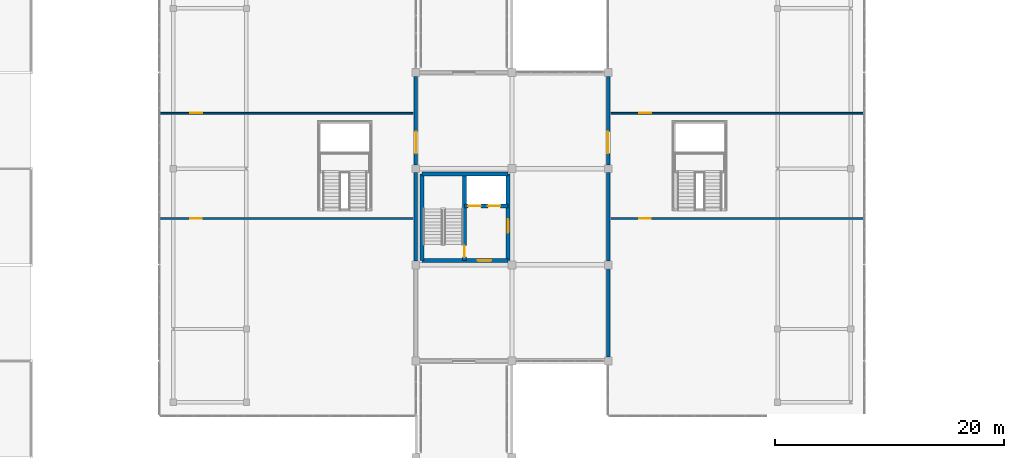
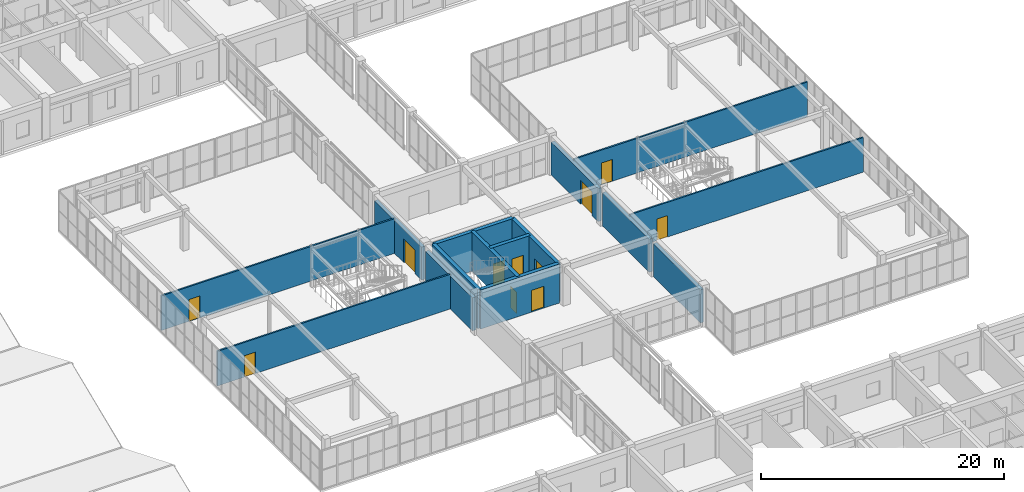
# One storey, part 114 of 140: 15 walls, 11 doors, 11 openings.
"""IFC4 building model written with IfcOpenShell, lengths in metres."""

import ifcopenshell
import ifcopenshell.guid

model = None  # the IFC model being written
_history = None  # IfcOwnerHistory: only IFC2X3 demands one
_inside = {}  # id of a spatial element -> (the spatial element, [elements in it])
_under = {}  # id of a project, library or spatial element -> (it, [spatial elements below it])
_declared = {}  # id of a project -> (the project, [libraries it declares])
_typed = {}  # id of a type object -> (the type object, [elements of that type])
_made_of = {}  # id of a material, layer set ... -> (it, [elements and type objects made of it])


def new_model(schema):
    """Start an empty IFC model of exactly this schema.

    Asked for "IFC4X3", IfcOpenShell would pick the latest addendum, in which some entities
    have other attributes; the version numbers below select the first issue.
    IFC2X3 requires an IfcOwnerHistory on every rooted entity: one is made here for all.
    """
    global model, _history
    if schema == "IFC4X3":
        model = ifcopenshell.file(schema_version=(4, 3, 0, 0))
    else:
        model = ifcopenshell.file(schema=schema)
    _inside.clear()
    _under.clear()
    _declared.clear()
    _typed.clear()
    _made_of.clear()
    _history = None
    if model.schema == "IFC2X3":
        org = make("IfcOrganization", Name="unknown")
        user = make(
            "IfcPersonAndOrganization",
            ThePerson=make("IfcPerson", FamilyName="unknown"),
            TheOrganization=org,
        )
        app = make(
            "IfcApplication",
            ApplicationDeveloper=org,
            Version="unknown",
            ApplicationFullName="unknown",
            ApplicationIdentifier="unknown",
        )
        _history = make(
            "IfcOwnerHistory",
            OwningUser=user,
            OwningApplication=app,
            ChangeAction="ADDED",
            CreationDate=0,
        )
    return model


def make(cls, **values):
    """One entity of the class cls with the attributes given. An attribute that is None is left unset."""
    return model.create_entity(
        cls, **{name: value for name, value in values.items() if value is not None}
    )


def rooted(cls, **values):
    """An entity with a GlobalId (a new one), such as an element, a storey or a relation."""
    return make(cls, GlobalId=ifcopenshell.guid.new(), OwnerHistory=_history, **values)


def si_unit(unit_type, name, prefix=None):
    """IfcSIUnit, for example si_unit("LENGTHUNIT", "METRE", prefix="MILLI")."""
    return make("IfcSIUnit", UnitType=unit_type, Prefix=prefix, Name=name)


def assignment(units):
    """IfcUnitAssignment: the units of a project."""
    return None if units is None else make("IfcUnitAssignment", Units=units)


def point(xyz):
    """IfcCartesianPoint."""
    return None if xyz is None else make("IfcCartesianPoint", Coordinates=xyz)


def direction(xyz):
    """IfcDirection."""
    return None if xyz is None else make("IfcDirection", DirectionRatios=xyz)


def frame(location, z_axis=None, x_axis=None):
    """IfcAxis2Placement3D, a coordinate frame: its origin and axes. An axis left out is left unset."""
    return make(
        "IfcAxis2Placement3D",
        Location=point(location),
        Axis=direction(z_axis),
        RefDirection=direction(x_axis),
    )


def frame_2d(location, x_axis=None):
    """IfcAxis2Placement2D, a coordinate frame in the plane: its origin and x axis."""
    return make(
        "IfcAxis2Placement2D", Location=point(location), RefDirection=direction(x_axis)
    )


def origin():
    """The frame at (0, 0, 0) with its axes left unset."""
    return frame((0.0, 0.0, 0.0))


def place(relative_to, where):
    """IfcLocalPlacement: puts the frame where relative to a parent placement (None: the world)."""
    return make(
        "IfcLocalPlacement", PlacementRelTo=relative_to, RelativePlacement=where
    )


def context(
    kind, dimensions, precision=None, world=None, true_north=None, identifier=None
):
    """IfcGeometricRepresentationContext, for example the 3D "Model" context."""
    return make(
        "IfcGeometricRepresentationContext",
        ContextIdentifier=identifier,
        ContextType=kind,
        CoordinateSpaceDimension=dimensions,
        Precision=precision,
        WorldCoordinateSystem=world,
        TrueNorth=true_north,
    )


def subcontext(parent, identifier, kind, view, scale=None):
    """IfcGeometricRepresentationSubContext, for example "Body" below "Model"."""
    return make(
        "IfcGeometricRepresentationSubContext",
        ContextIdentifier=identifier,
        ContextType=kind,
        ParentContext=parent,
        TargetScale=scale,
        TargetView=view,
    )


def project(units=None, contexts=None):
    """IfcProject with its units and contexts."""
    return rooted(
        "IfcProject",
        Name="project",
        RepresentationContexts=contexts,
        UnitsInContext=assignment(units),
    )


def spatial(cls, under=None, at=None, **own):
    """A site, building, storey or space (cls), placed at a placement, below another one or the project."""
    s = rooted(cls, ObjectPlacement=at, **own)
    if under is not None:
        _under.setdefault(under.id(), (under, []))[1].append(s)
    return s


def profile(cls, at=None, kind="AREA", **sizes):
    """A parametric profile (cls). Its sizes go by their IFC names, for example OverallWidth=200.0."""
    return make(cls, ProfileType=kind, Position=at, **sizes)


def rectangle(**sizes):
    """IfcRectangleProfileDef."""
    return profile("IfcRectangleProfileDef", **sizes)


def extrude(swept, where, along, depth):
    """IfcExtrudedAreaSolid: the profile swept, set in the frame where, extruded along a direction by depth."""
    return make(
        "IfcExtrudedAreaSolid",
        SweptArea=swept,
        Position=where,
        ExtrudedDirection=direction(along),
        Depth=depth,
    )


def shape(context_of_items, identifier, shape_type, items):
    """IfcShapeRepresentation: the items that make up one representation, for example the "Body"."""
    return make(
        "IfcShapeRepresentation",
        ContextOfItems=context_of_items,
        RepresentationIdentifier=identifier,
        RepresentationType=shape_type,
        Items=items,
    )


def material(Name=None, Category=None):
    """IfcMaterial."""
    return make("IfcMaterial", Name=Name, Category=Category)


def layer(
    of_material, thickness, ventilated=None, Name=None, Category=None, Priority=None
):
    """IfcMaterialLayer: one layer of a wall or slab, of a material (None: an air gap)."""
    return make(
        "IfcMaterialLayer",
        Material=of_material,
        LayerThickness=thickness,
        IsVentilated=ventilated,
        Name=Name,
        Category=Category,
        Priority=Priority,
    )


def layer_set(layers, Name=None):
    """IfcMaterialLayerSet."""
    return make("IfcMaterialLayerSet", MaterialLayers=layers, LayerSetName=Name)


def made_of(thing, what):
    """Note that an element or type object is made of a material, layer set ...; save() writes the relation."""
    if what is not None:
        _made_of.setdefault(what.id(), (what, []))[1].append(thing)
    return thing


def type_object(cls, material=None, **own):
    """A type object (cls), such as IfcWallType, which elements share."""
    return made_of(rooted(cls, **own), material)


def element(
    cls,
    number,
    at=None,
    inside=None,
    cuts=None,
    type_object=None,
    material=None,
    context=None,
    identifier="Body",
    shape_type=None,
    held_by="IfcProductDefinitionShape",
    body=None,
    shapes=None,
    **own,
):
    """One element of the class cls, such as IfcWall. Its Tag is "e" and its number.

    at: its placement. inside: the storey or other place that contains it. cuts: it is an
    opening in that element (IfcRelVoidsElement). A single representation is given by context,
    identifier, shape_type and body (its items); several are given by shapes. held_by: the class
    of the entity that holds the representations. save() writes the other relations.
    """
    e = rooted(cls, Tag="e%d" % number, ObjectPlacement=at, **own)
    if body is not None:
        shapes = [shape(context, identifier, shape_type, body)]
    if shapes is not None:
        e.Representation = make(held_by, Representations=shapes)
    if inside is not None:
        _inside.setdefault(inside.id(), (inside, []))[1].append(e)
    if cuts is not None:
        rooted(
            "IfcRelVoidsElement", RelatingBuildingElement=cuts, RelatedOpeningElement=e
        )
    if type_object is not None:
        _typed.setdefault(type_object.id(), (type_object, []))[1].append(e)
    return made_of(e, material)


def fill(opening, filler):
    """IfcRelFillsElement: the door or window that sits in an opening."""
    return rooted(
        "IfcRelFillsElement",
        RelatingOpeningElement=opening,
        RelatedBuildingElement=filler,
    )


def aggregate(whole, parts):
    """IfcRelAggregates: a whole, such as a stair, and the parts it consists of."""
    return rooted("IfcRelAggregates", RelatingObject=whole, RelatedObjects=parts)


def save(model, path):
    """Write the relations noted so far, then the file.

    IfcRelAggregates (storeys below a building ...), IfcRelContainedInSpatialStructure (elements
    in a storey), IfcRelDefinesByType, IfcRelAssociatesMaterial and IfcRelDeclares: one each for
    every whole, place, type object, material and project.
    """
    for whole, parts in _under.values():
        aggregate(whole, parts)
    for where, things in _inside.values():
        rooted(
            "IfcRelContainedInSpatialStructure",
            RelatedElements=things,
            RelatingStructure=where,
        )
    for kind, things in _typed.values():
        rooted("IfcRelDefinesByType", RelatedObjects=things, RelatingType=kind)
    for what, things in _made_of.values():
        rooted("IfcRelAssociatesMaterial", RelatedObjects=things, RelatingMaterial=what)
    for by, libraries in _declared.values():
        rooted("IfcRelDeclares", RelatingContext=by, RelatedDefinitions=libraries)
    model.write(path)


model = new_model("IFC4")

# Units and contexts
model_context = context("Model", 3, precision=1e-05, world=origin(), true_north=direction((0.0, 1.0)))
body_context = subcontext(model_context, "Body", "Model", "MODEL_VIEW")
ifc_project = project(units=[si_unit("LENGTHUNIT", "METRE"), si_unit("AREAUNIT", "SQUARE_METRE"), si_unit("VOLUMEUNIT", "CUBIC_METRE"), si_unit("PLANEANGLEUNIT", "RADIAN"), si_unit("MASSUNIT", "GRAM", prefix="KILO")], contexts=[model_context])

# Site, building, storey
site_placement = place(None, origin())
site = spatial("IfcSite", under=ifc_project, at=site_placement, CompositionType="ELEMENT")
building_placement = place(site_placement, origin())
building = spatial("IfcBuilding", under=site, at=building_placement, Name="Trelvath General Hospital", CompositionType="ELEMENT")
storey_placement = place(building_placement, frame((0.0, 0.0, 16.199951171875)))
storey = spatial("IfcBuildingStorey", under=building, at=storey_placement, Name="L04", CompositionType="ELEMENT", Elevation=16.199951171875)

# Wall, opening, door
ifc_material_1 = material(Name="Gypsum acoustic steel-stud partition", Category="steel")
ifc_layer_1 = layer(ifc_material_1, 0.14990234375)
ifc_layer_set_1 = layer_set([ifc_layer_1], Name="Gypsum acoustic steel-stud partition")
wall_type_1 = type_object("IfcWallType", Name="ClinicalPartition 150", PredefinedType="PARTITIONING", material=ifc_layer_set_1)
wall_1_placement = place(storey_placement, frame((53.300048828125, 54.449951171875, 0.0), z_axis=(0.0, 0.0, 1.0), x_axis=(1.0, 0.0, 0.0)))
wall_1 = element("IfcWall", 1, at=wall_1_placement, inside=storey, type_object=wall_type_1, Name="Cube Clinic CUBE-W Partition L04-1714", PredefinedType="PARTITIONING", context=body_context, shape_type="SweptSolid", body=[
    extrude(rectangle(XDim=22.199951171875, YDim=0.14990234375, at=frame_2d((11.10009765625, 0.0))), origin(), (0.0, 0.0, 1.0), 3.489990234375),
])
opening_1_placement = place(wall_1_placement, frame((2.60009765625, 0.0, 0.0)))
opening_1 = element("IfcOpeningElement", 2, at=opening_1_placement, cuts=wall_1, Name="Opening DC-4-1145", PredefinedType="OPENING", context=body_context, shape_type="SweptSolid", body=[
    extrude(rectangle(XDim=1.0, YDim=2.14990234375, at=frame_2d((0.5, 1.074951171875))), frame((0.0, 0.0849609375, 0.0), z_axis=(0.0, -1.0, 0.0), x_axis=(1.0, 0.0, 0.0)), (0.0, 0.0, 1.0), 0.169921875),
])
ifc_material_2 = material(Name="Acoustic hospital timber leaf", Category="wood")
door_type_1 = type_object("IfcDoorType", Name="Door Consult 1000x2150", OperationType="NOTDEFINED", PredefinedType="DOOR", material=ifc_material_2)
door_1_placement = place(opening_1_placement, origin())
door_1 = element("IfcDoor", 3, at=door_1_placement, inside=storey, type_object=door_type_1, Name="Cube Clinic CUBE-W Door L04-1145", OperationType="SINGLE_SWING_LEFT", OverallHeight=2.14990234375, OverallWidth=1.0, PredefinedType="DOOR", context=body_context, shape_type="SweptSolid", body=[
    extrude(rectangle(XDim=1.0, YDim=2.14990234375, at=frame_2d((0.5, 1.074951171875))), frame((0.0, 0.02490234375, 0.0), z_axis=(0.0, -1.0, 0.0), x_axis=(1.0, 0.0, 0.0)), (0.0, 0.0, 1.0), 0.050048828125),
])
fill(opening_1, door_1)

wall_2_placement = place(storey_placement, frame((53.300048828125, 63.64990234375, 0.0), z_axis=(0.0, 0.0, 1.0), x_axis=(1.0, 0.0, 0.0)))
wall_2 = element("IfcWall", 4, at=wall_2_placement, inside=storey, type_object=wall_type_1, Name="Cube Clinic CUBE-W Partition L04-1715", PredefinedType="PARTITIONING", context=body_context, shape_type="SweptSolid", body=[
    extrude(rectangle(XDim=22.199951171875, YDim=0.14990234375, at=frame_2d((11.10009765625, 0.0))), origin(), (0.0, 0.0, 1.0), 3.489990234375),
])
opening_2_placement = place(wall_2_placement, frame((2.60009765625, 0.0, 0.0)))
opening_2 = element("IfcOpeningElement", 5, at=opening_2_placement, cuts=wall_2, Name="Opening DC-4-1146", PredefinedType="OPENING", context=body_context, shape_type="SweptSolid", body=[
    extrude(rectangle(XDim=1.050048828125, YDim=2.199951171875, at=frame_2d((0.52490234375, 1.10009765625))), frame((0.0, 0.0849609375, 0.0), z_axis=(0.0, -1.0, 0.0), x_axis=(1.0, 0.0, 0.0)), (0.0, 0.0, 1.0), 0.169921875),
])
ifc_material_3 = material(Name="Acoustic hospital timber leaf", Category="wood")
door_type_2 = type_object("IfcDoorType", Name="Door Consult 1050x2200", OperationType="NOTDEFINED", PredefinedType="DOOR", material=ifc_material_3)
door_2_placement = place(opening_2_placement, origin())
door_2 = element("IfcDoor", 6, at=door_2_placement, inside=storey, type_object=door_type_2, Name="Cube Clinic CUBE-W Door L04-1146", OperationType="SINGLE_SWING_RIGHT", OverallHeight=2.199951171875, OverallWidth=1.050048828125, PredefinedType="DOOR", context=body_context, shape_type="SweptSolid", body=[
    extrude(rectangle(XDim=1.050048828125, YDim=2.199951171875, at=frame_2d((0.52490234375, 1.10009765625))), frame((0.0, 0.02490234375, 0.0), z_axis=(0.0, -1.0, 0.0), x_axis=(1.0, 0.0, 0.0)), (0.0, 0.0, 1.0), 0.050048828125),
])
fill(opening_2, door_2)

wall_3_placement = place(storey_placement, frame((92.5, 54.449951171875, 0.0), z_axis=(0.0, 0.0, 1.0), x_axis=(1.0, 0.0, 0.0)))
wall_3 = element("IfcWall", 7, at=wall_3_placement, inside=storey, type_object=wall_type_1, Name="Cube Clinic CUBE-E Partition L04-1716", PredefinedType="PARTITIONING", context=body_context, shape_type="SweptSolid", body=[
    extrude(rectangle(XDim=22.199951171875, YDim=0.14990234375, at=frame_2d((11.10009765625, 0.0))), origin(), (0.0, 0.0, 1.0), 3.489990234375),
])
opening_3_placement = place(wall_3_placement, frame((2.60009765625, 0.0, 0.0)))
opening_3 = element("IfcOpeningElement", 8, at=opening_3_placement, cuts=wall_3, Name="Opening DC-4-1147", PredefinedType="OPENING", context=body_context, shape_type="SweptSolid", body=[
    extrude(rectangle(XDim=1.0, YDim=2.14990234375, at=frame_2d((0.5, 1.074951171875))), frame((0.0, 0.0849609375, 0.0), z_axis=(0.0, -1.0, 0.0), x_axis=(1.0, 0.0, 0.0)), (0.0, 0.0, 1.0), 0.169921875),
])
door_3_placement = place(opening_3_placement, origin())
door_3 = element("IfcDoor", 9, at=door_3_placement, inside=storey, type_object=door_type_1, Name="Cube Clinic CUBE-E Door L04-1147", OperationType="SINGLE_SWING_LEFT", OverallHeight=2.14990234375, OverallWidth=1.0, PredefinedType="DOOR", context=body_context, shape_type="SweptSolid", body=[
    extrude(rectangle(XDim=1.0, YDim=2.14990234375, at=frame_2d((0.5, 1.074951171875))), frame((0.0, 0.02490234375, 0.0), z_axis=(0.0, -1.0, 0.0), x_axis=(1.0, 0.0, 0.0)), (0.0, 0.0, 1.0), 0.050048828125),
])
fill(opening_3, door_3)

wall_4_placement = place(storey_placement, frame((92.5, 63.64990234375, 0.0), z_axis=(0.0, 0.0, 1.0), x_axis=(1.0, 0.0, 0.0)))
wall_4 = element("IfcWall", 10, at=wall_4_placement, inside=storey, type_object=wall_type_1, Name="Cube Clinic CUBE-E Partition L04-1717", PredefinedType="PARTITIONING", context=body_context, shape_type="SweptSolid", body=[
    extrude(rectangle(XDim=22.199951171875, YDim=0.14990234375, at=frame_2d((11.10009765625, 0.0))), origin(), (0.0, 0.0, 1.0), 3.489990234375),
])
opening_4_placement = place(wall_4_placement, frame((2.60009765625, 0.0, 0.0)))
opening_4 = element("IfcOpeningElement", 11, at=opening_4_placement, cuts=wall_4, Name="Opening DC-4-1148", PredefinedType="OPENING", context=body_context, shape_type="SweptSolid", body=[
    extrude(rectangle(XDim=1.050048828125, YDim=2.199951171875, at=frame_2d((0.52490234375, 1.10009765625))), frame((0.0, 0.0849609375, 0.0), z_axis=(0.0, -1.0, 0.0), x_axis=(1.0, 0.0, 0.0)), (0.0, 0.0, 1.0), 0.169921875),
])
door_4_placement = place(opening_4_placement, origin())
door_4 = element("IfcDoor", 12, at=door_4_placement, inside=storey, type_object=door_type_2, Name="Cube Clinic CUBE-E Door L04-1148", OperationType="SINGLE_SWING_RIGHT", OverallHeight=2.199951171875, OverallWidth=1.050048828125, PredefinedType="DOOR", context=body_context, shape_type="SweptSolid", body=[
    extrude(rectangle(XDim=1.050048828125, YDim=2.199951171875, at=frame_2d((0.52490234375, 1.10009765625))), frame((0.0, 0.02490234375, 0.0), z_axis=(0.0, -1.0, 0.0), x_axis=(1.0, 0.0, 0.0)), (0.0, 0.0, 1.0), 0.050048828125),
])
fill(opening_4, door_4)

ifc_material_4 = material(Name="Concrete C40/50", Category="concrete")
ifc_layer_2 = layer(ifc_material_4, 0.35009765625)
ifc_layer_set_2 = layer_set([ifc_layer_2], Name="Concrete C40/50")
wall_type_2 = type_object("IfcWallType", Name="CoreShearWall 350", PredefinedType="SHEAR", material=ifc_layer_set_2)
wall_5_placement = place(storey_placement, frame((76.14990234375, 50.800048828125, 0.0), z_axis=(0.0, 0.0, 1.0), x_axis=(1.0, 0.0, 0.0)))
wall_5 = element("IfcWall", 13, at=wall_5_placement, inside=storey, type_object=wall_type_2, Name="Core Shear Wall C6 S L04", PredefinedType="SHEAR", context=body_context, shape_type="SweptSolid", body=[
    extrude(rectangle(XDim=7.5, YDim=0.35009765625, at=frame_2d((3.75, 0.0))), origin(), (0.0, 0.0, 1.0), 3.920166015625),
])
opening_5_placement = place(wall_5_placement, frame((4.85009765625, 0.0, 0.0)))
opening_5 = element("IfcOpeningElement", 14, at=opening_5_placement, cuts=wall_5, Name="Opening FD-LS64", PredefinedType="OPENING", context=body_context, shape_type="SweptSolid", body=[
    extrude(rectangle(XDim=1.199951171875, YDim=2.199951171875, at=frame_2d((0.60009765625, 1.10009765625))), frame((0.0, 0.18505859375, 0.0), z_axis=(0.0, -1.0, 0.0), x_axis=(1.0, 0.0, 0.0)), (0.0, 0.0, 1.0), 0.3701171875),
])
ifc_material_5 = material(Name="Fire-rated steel door", Category="steel")
door_type_3 = type_object("IfcDoorType", Name="Door FireLobby 1200x2200", OperationType="NOTDEFINED", PredefinedType="DOOR", material=ifc_material_5)
door_5_placement = place(opening_5_placement, origin())
door_5 = element("IfcDoor", 15, at=door_5_placement, inside=storey, type_object=door_type_3, Name="Fire Lobby South Concourse Door C6 L04", OperationType="SINGLE_SWING_LEFT", OverallHeight=2.199951171875, OverallWidth=1.199951171875, PredefinedType="DOOR", context=body_context, shape_type="SweptSolid", body=[
    extrude(rectangle(XDim=1.199951171875, YDim=2.199951171875, at=frame_2d((0.60009765625, 1.10009765625))), frame((0.0, 0.02490234375, 0.0), z_axis=(0.0, -1.0, 0.0), x_axis=(1.0, 0.0, 0.0)), (0.0, 0.0, 1.0), 0.050048828125),
])
fill(opening_5, door_5)

# Walls
wall_6_placement = place(storey_placement, frame((76.14990234375, 58.35009765625, 0.0), z_axis=(0.0, 0.0, 1.0), x_axis=(1.0, 0.0, 0.0)))
element("IfcWall", 16, at=wall_6_placement, inside=storey, type_object=wall_type_2, Name="Core Shear Wall C6 N L04", PredefinedType="SHEAR", context=body_context, shape_type="SweptSolid", body=[
    extrude(rectangle(XDim=7.5, YDim=0.35009765625, at=frame_2d((3.75, 0.0))), origin(), (0.0, 0.0, 1.0), 3.920166015625),
])
wall_7_placement = place(storey_placement, frame((76.14990234375, 50.800048828125, 0.0), z_axis=(0.0, 0.0, 1.0), x_axis=(0.0, 1.0, 0.0)))
element("IfcWall", 17, at=wall_7_placement, inside=storey, type_object=wall_type_2, Name="Core Shear Wall C6 W L04", PredefinedType="SHEAR", context=body_context, shape_type="SweptSolid", body=[
    extrude(rectangle(XDim=7.550048828125, YDim=0.35009765625, at=frame_2d((3.77490234375, 0.0))), origin(), (0.0, 0.0, 1.0), 3.920166015625),
])

# Wall, opening, door
wall_8_placement = place(storey_placement, frame((83.64990234375, 50.800048828125, 0.0), z_axis=(0.0, 0.0, 1.0), x_axis=(0.0, 1.0, 0.0)))
wall_8 = element("IfcWall", 18, at=wall_8_placement, inside=storey, type_object=wall_type_2, Name="Core Shear Wall C6 E L04", PredefinedType="SHEAR", context=body_context, shape_type="SweptSolid", body=[
    extrude(rectangle(XDim=7.550048828125, YDim=0.35009765625, at=frame_2d((3.77490234375, 0.0))), origin(), (0.0, 0.0, 1.0), 3.920166015625),
])
opening_6_placement = place(wall_8_placement, frame((2.39990234375, 0.0, 0.0)))
opening_6 = element("IfcOpeningElement", 19, at=opening_6_placement, cuts=wall_8, Name="Opening FD-LE64", PredefinedType="OPENING", context=body_context, shape_type="SweptSolid", body=[
    extrude(rectangle(XDim=1.199951171875, YDim=2.199951171875, at=frame_2d((0.60009765625, 1.10009765625))), frame((0.0, 0.18505859375, 0.0), z_axis=(0.0, -1.0, 0.0), x_axis=(1.0, 0.0, 0.0)), (0.0, 0.0, 1.0), 0.3701171875),
])
door_6_placement = place(opening_6_placement, origin())
door_6 = element("IfcDoor", 20, at=door_6_placement, inside=storey, type_object=door_type_3, Name="Fire Lobby East Corridor Door C6 L04", OperationType="SINGLE_SWING_RIGHT", OverallHeight=2.199951171875, OverallWidth=1.199951171875, PredefinedType="DOOR", context=body_context, shape_type="SweptSolid", body=[
    extrude(rectangle(XDim=1.199951171875, YDim=2.199951171875, at=frame_2d((0.60009765625, 1.10009765625))), frame((0.0, 0.02490234375, 0.0), z_axis=(0.0, -1.0, 0.0), x_axis=(1.0, 0.0, 0.0)), (0.0, 0.0, 1.0), 0.050048828125),
])
fill(opening_6, door_6)

wall_9_placement = place(storey_placement, frame((79.85009765625, 50.800048828125, 0.0), z_axis=(0.0, 0.0, 1.0), x_axis=(0.0, 1.0, 0.0)))
wall_9 = element("IfcWall", 21, at=wall_9_placement, inside=storey, type_object=wall_type_2, Name="Core Shear Wall C6 SPINE L04", PredefinedType="SHEAR", context=body_context, shape_type="SweptSolid", body=[
    extrude(rectangle(XDim=7.550048828125, YDim=0.35009765625, at=frame_2d((3.77490234375, 0.0))), origin(), (0.0, 0.0, 1.0), 3.920166015625),
])
opening_7_placement = place(wall_9_placement, frame((0.280029296875, 0.0, 0.0)))
opening_7 = element("IfcOpeningElement", 22, at=opening_7_placement, cuts=wall_9, Name="Opening FD-S64", PredefinedType="OPENING", context=body_context, shape_type="SweptSolid", body=[
    extrude(rectangle(XDim=1.0, YDim=2.14990234375, at=frame_2d((0.5, 1.074951171875))), frame((0.0, 0.18505859375, 0.0), z_axis=(0.0, -1.0, 0.0), x_axis=(1.0, 0.0, 0.0)), (0.0, 0.0, 1.0), 0.3701171875),
])
ifc_material_6 = material(Name="Fire-rated steel door", Category="steel")
door_type_4 = type_object("IfcDoorType", Name="Door FireStair 1100x2150", OperationType="NOTDEFINED", PredefinedType="DOOR", material=ifc_material_6)
door_7_placement = place(opening_7_placement, origin())
door_7 = element("IfcDoor", 23, at=door_7_placement, inside=storey, type_object=door_type_4, Name="Exit Stair Door ST6 L04", OperationType="SINGLE_SWING_RIGHT", OverallHeight=2.14990234375, OverallWidth=1.0, PredefinedType="DOOR", context=body_context, shape_type="SweptSolid", body=[
    extrude(rectangle(XDim=1.0, YDim=2.14990234375, at=frame_2d((0.5, 1.074951171875))), frame((0.0, 0.02490234375, 0.0), z_axis=(0.0, -1.0, 0.0), x_axis=(1.0, 0.0, 0.0)), (0.0, 0.0, 1.0), 0.050048828125),
])
fill(opening_7, door_7)

# Wall, openings, doors
wall_10_placement = place(storey_placement, frame((79.85009765625, 55.550048828125, 0.0), z_axis=(0.0, 0.0, 1.0), x_axis=(1.0, 0.0, 0.0)))
wall_10 = element("IfcWall", 24, at=wall_10_placement, inside=storey, type_object=wall_type_2, Name="Core Shear Wall C6 SHAFT L04", PredefinedType="SHEAR", context=body_context, shape_type="SweptSolid", body=[
    extrude(rectangle(XDim=3.7998046875, YDim=0.35009765625, at=frame_2d((1.89990234375, 0.0))), origin(), (0.0, 0.0, 1.0), 3.920166015625),
])
opening_8_placement = place(wall_10_placement, frame((0.320068359375, 0.0, 0.0)))
opening_8 = element("IfcOpeningElement", 25, at=opening_8_placement, cuts=wall_10, Name="Opening LD-PA3-4", PredefinedType="OPENING", context=body_context, shape_type="SweptSolid", body=[
    extrude(rectangle(XDim=1.10009765625, YDim=2.14990234375, at=frame_2d((0.550048828125, 1.074951171875))), frame((0.0, 0.18505859375, 0.0), z_axis=(0.0, -1.0, 0.0), x_axis=(1.0, 0.0, 0.0)), (0.0, 0.0, 1.0), 0.3701171875),
])
opening_9_placement = place(wall_10_placement, frame((2.0400390625, 0.0, 0.0)))
opening_9 = element("IfcOpeningElement", 26, at=opening_9_placement, cuts=wall_10, Name="Opening LD-PA4-4", PredefinedType="OPENING", context=body_context, shape_type="SweptSolid", body=[
    extrude(rectangle(XDim=1.10009765625, YDim=2.14990234375, at=frame_2d((0.550048828125, 1.074951171875))), frame((0.0, 0.18505859375, 0.0), z_axis=(0.0, -1.0, 0.0), x_axis=(1.0, 0.0, 0.0)), (0.0, 0.0, 1.0), 0.3701171875),
])
ifc_material_7 = material(Name="Stainless steel lift landing sliding door", Category="steel")
door_type_5 = type_object("IfcDoorType", Name="Door LiftLanding 1100x2150", OperationType="SLIDING_TO_LEFT", PredefinedType="DOOR", material=ifc_material_7)
door_8_placement = place(opening_8_placement, origin())
door_8 = element("IfcDoor", 27, at=door_8_placement, inside=storey, type_object=door_type_5, Name="Lift Landing Sliding Door LF-PA3 L04", OperationType="SLIDING_TO_LEFT", OverallHeight=2.14990234375, OverallWidth=1.10009765625, PredefinedType="DOOR", context=body_context, shape_type="SweptSolid", body=[
    extrude(rectangle(XDim=1.10009765625, YDim=2.14990234375, at=frame_2d((0.550048828125, 1.074951171875))), frame((0.0, 0.02490234375, 0.0), z_axis=(0.0, -1.0, 0.0), x_axis=(1.0, 0.0, 0.0)), (0.0, 0.0, 1.0), 0.050048828125),
])
fill(opening_8, door_8)
door_9_placement = place(opening_9_placement, origin())
door_9 = element("IfcDoor", 28, at=door_9_placement, inside=storey, type_object=door_type_5, Name="Lift Landing Sliding Door LF-PA4 L04", OperationType="SLIDING_TO_LEFT", OverallHeight=2.14990234375, OverallWidth=1.10009765625, PredefinedType="DOOR", context=body_context, shape_type="SweptSolid", body=[
    extrude(rectangle(XDim=1.10009765625, YDim=2.14990234375, at=frame_2d((0.550048828125, 1.074951171875))), frame((0.0, 0.02490234375, 0.0), z_axis=(0.0, -1.0, 0.0), x_axis=(1.0, 0.0, 0.0)), (0.0, 0.0, 1.0), 0.050048828125),
])
fill(opening_9, door_9)

# Wall
ifc_material_8 = material(Name="Concrete C35/45", Category="concrete")
ifc_layer_3 = layer(ifc_material_8, 0.320068359375)
ifc_layer_set_3 = layer_set([ifc_layer_3], Name="Concrete C35/45")
wall_type_3 = type_object("IfcWallType", Name="ExtThermalWall 320", PredefinedType="SOLIDWALL", material=ifc_layer_set_3)
wall_11_placement = place(storey_placement, frame((75.60009765625, 50.735107421875, 0.0), z_axis=(0.0, 0.0, 1.0), x_axis=(0.0, 1.0, 0.0)))
element("IfcWall", 29, at=wall_11_placement, inside=storey, type_object=wall_type_3, Name="Exterior Concrete Wall L04-456", PredefinedType="SOLIDWALL", context=body_context, shape_type="SweptSolid", body=[
    extrude(rectangle(XDim=7.72998046875, YDim=0.320068359375, at=frame_2d((3.864990234375, 0.0))), origin(), (0.0, 0.0, 1.0), 3.320068359375),
])

# Wall, opening, door
wall_12_placement = place(storey_placement, frame((75.60009765625, 59.135009765625, 0.0), z_axis=(0.0, 0.0, 1.0), x_axis=(0.0, 1.0, 0.0)))
wall_12 = element("IfcWall", 30, at=wall_12_placement, inside=storey, type_object=wall_type_3, Name="Exterior Concrete Wall L04-458", PredefinedType="SOLIDWALL", context=body_context, shape_type="SweptSolid", body=[
    extrude(rectangle(XDim=7.72998046875, YDim=0.320068359375, at=frame_2d((3.864990234375, 0.0))), origin(), (0.0, 0.0, 1.0), 3.320068359375),
])
opening_10_placement = place(wall_12_placement, frame((1.014892578125, 0.0, 0.0)))
opening_10 = element("IfcOpeningElement", 31, at=opening_10_placement, cuts=wall_12, Name="Opening CP-4-059", PredefinedType="OPENING", context=body_context, shape_type="SweptSolid", body=[
    extrude(rectangle(XDim=1.89990234375, YDim=2.39990234375, at=frame_2d((0.949951171875, 1.199951171875))), frame((0.0, 0.169921875, 0.0), z_axis=(0.0, -1.0, 0.0), x_axis=(1.0, 0.0, 0.0)), (0.0, 0.0, 1.0), 0.340087890625),
])
ifc_material_9 = material(Name="Thermally broken glazed aluminium pair", Category="aluminium")
door_type_6 = type_object("IfcDoorType", Name="Door BridgeEntry 1900x2400", OperationType="DOUBLE_SWING_LEFT", PredefinedType="DOOR", material=ifc_material_9)
door_10_placement = place(opening_10_placement, origin())
door_10 = element("IfcDoor", 32, at=door_10_placement, inside=storey, type_object=door_type_6, Name="Crystal Cube Concourse Portal Door L04-59", OperationType="DOUBLE_SWING_LEFT", OverallHeight=2.39990234375, OverallWidth=1.89990234375, PredefinedType="DOOR", context=body_context, shape_type="SweptSolid", body=[
    extrude(rectangle(XDim=1.89990234375, YDim=2.39990234375, at=frame_2d((0.949951171875, 1.199951171875))), frame((0.0, 0.02490234375, 0.0), z_axis=(0.0, -1.0, 0.0), x_axis=(1.0, 0.0, 0.0)), (0.0, 0.0, 1.0), 0.050048828125),
])
fill(opening_10, door_10)

# Walls
for number, where, z_axis, x_axis, name in (
    (33, (92.39990234375, 50.06494140625, 0.0), (0.0, 0.0, 1.0), (0.0, -1.0, 0.0), "Exterior Concrete Wall L04-463"),
    (34, (92.39990234375, 58.465087890625, 0.0), (0.0, 0.0, 1.0), (0.0, -1.0, 0.0), "Exterior Concrete Wall L04-464"),
):
    element("IfcWall", number, at=place(storey_placement, frame(where, z_axis=z_axis, x_axis=x_axis)), inside=storey, type_object=wall_type_3, Name=name, PredefinedType="SOLIDWALL", context=body_context, shape_type="SweptSolid", body=[
        extrude(rectangle(XDim=7.72998046875, YDim=0.320068359375, at=frame_2d((3.864990234375, 0.0))), origin(), (0.0, 0.0, 1.0), 3.320068359375),
    ])

# Wall, opening, door
wall_13_placement = place(storey_placement, frame((92.39990234375, 66.864990234375, 0.0), z_axis=(0.0, 0.0, 1.0), x_axis=(0.0, -1.0, 0.0)))
wall_13 = element("IfcWall", 35, at=wall_13_placement, inside=storey, type_object=wall_type_3, Name="Exterior Concrete Wall L04-465", PredefinedType="SOLIDWALL", context=body_context, shape_type="SweptSolid", body=[
    extrude(rectangle(XDim=7.72998046875, YDim=0.320068359375, at=frame_2d((3.864990234375, 0.0))), origin(), (0.0, 0.0, 1.0), 3.320068359375),
])
opening_11_placement = place(wall_13_placement, frame((4.81494140625, 0.0, 0.0)))
opening_11 = element("IfcOpeningElement", 36, at=opening_11_placement, cuts=wall_13, Name="Opening CP-4-061", PredefinedType="OPENING", context=body_context, shape_type="SweptSolid", body=[
    extrude(rectangle(XDim=1.89990234375, YDim=2.39990234375, at=frame_2d((0.949951171875, 1.199951171875))), frame((0.0, 0.169921875, 0.0), z_axis=(0.0, -1.0, 0.0), x_axis=(1.0, 0.0, 0.0)), (0.0, 0.0, 1.0), 0.340087890625),
])
door_11_placement = place(opening_11_placement, origin())
door_11 = element("IfcDoor", 37, at=door_11_placement, inside=storey, type_object=door_type_6, Name="Crystal Cube Concourse Portal Door L04-61", OperationType="DOUBLE_SWING_LEFT", OverallHeight=2.39990234375, OverallWidth=1.89990234375, PredefinedType="DOOR", context=body_context, shape_type="SweptSolid", body=[
    extrude(rectangle(XDim=1.89990234375, YDim=2.39990234375, at=frame_2d((0.949951171875, 1.199951171875))), frame((0.0, 0.02490234375, 0.0), z_axis=(0.0, -1.0, 0.0), x_axis=(1.0, 0.0, 0.0)), (0.0, 0.0, 1.0), 0.050048828125),
])
fill(opening_11, door_11)

save(model, "model.ifc")
